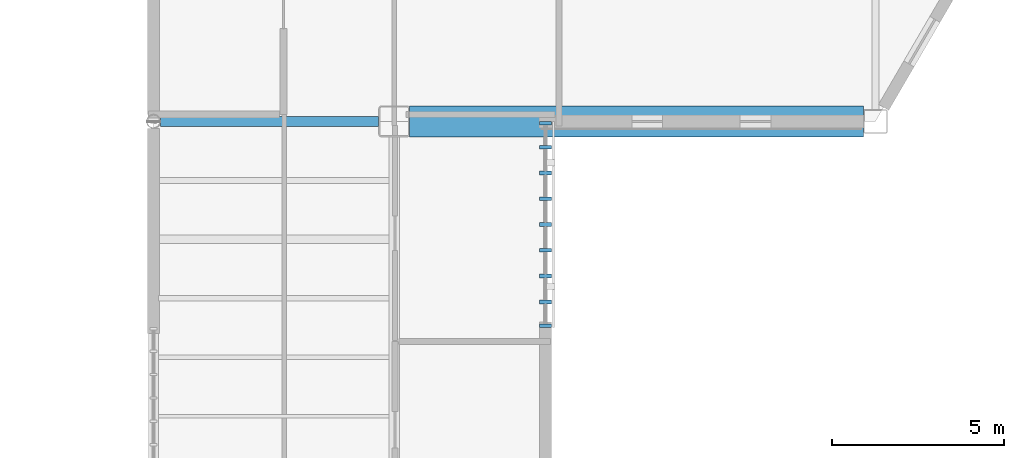
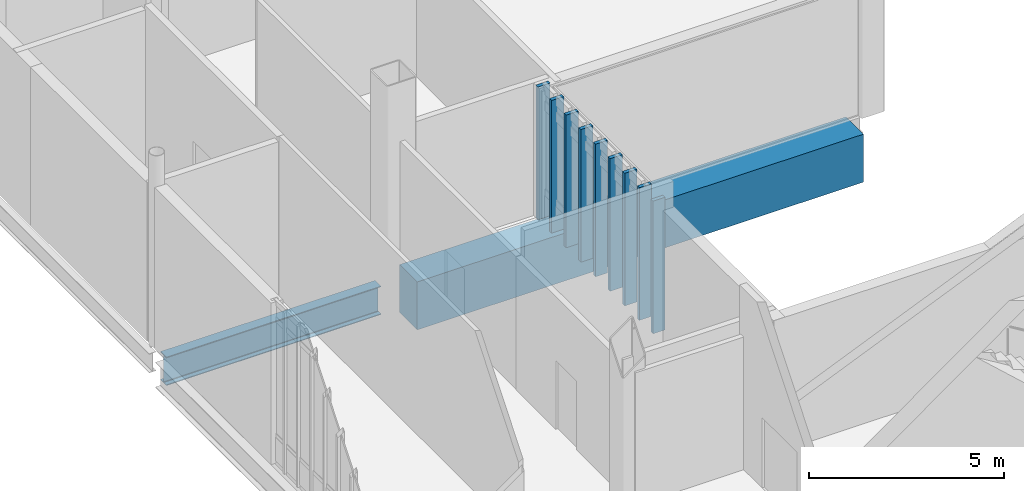
# One storey, part 25 of 135: 9 members, 2 beams, 1 element without a shape of its own.
"""IFC4 building model written with IfcOpenShell, lengths in metres."""

from ifc_helpers import new_model, si_unit, direction, frame, origin, origin_2d, place, context, subcontext, project, spatial, rectangle, i_section, extrude, material, material_profile, profile_set, type_object, element, aggregate, save


model = new_model("IFC4")

# Units and contexts
model_context = context("Model", 3, precision=1e-05, world=origin(), true_north=direction((0.0, 1.0)))
body_context = subcontext(model_context, "Body", "Model", "MODEL_VIEW")
ifc_project = project(units=[si_unit("LENGTHUNIT", "METRE"), si_unit("AREAUNIT", "SQUARE_METRE"), si_unit("VOLUMEUNIT", "CUBIC_METRE"), si_unit("PLANEANGLEUNIT", "RADIAN"), si_unit("MASSUNIT", "GRAM", prefix="KILO")], contexts=[model_context])

# Site, building, storey
site_placement = place(None, origin())
site = spatial("IfcSite", under=ifc_project, at=site_placement, CompositionType="ELEMENT")
building_placement = place(site_placement, origin())
building = spatial("IfcBuilding", under=site, at=building_placement, Name="Larkvane Passage Sports Hall", CompositionType="ELEMENT")
storey_placement = place(building_placement, frame((0.0, 0.0, 10.800048828125)))
storey = spatial("IfcBuildingStorey", under=building, at=storey_placement, Name="L02", CompositionType="ELEMENT", Elevation=10.800048828125)

# Beam
ifc_material_1 = material(Name="Steel S460N", Category="steel")
ifc_material_profile_1 = material_profile(ifc_material_1, i_section(OverallWidth=0.299072265625, OverallDepth=0.889892578125, WebThickness=0.014892578125, FlangeThickness=0.02294921875, FilletRadius=0.02197265625, at=origin_2d()), Name="H-890x299x15x23")
ifc_profile_set_1 = profile_set([ifc_material_profile_1], Name="Steel S460N")
beam_type_1 = type_object("IfcBeamType", Name="BM-STL-H890", PredefinedType="BEAM", material=ifc_profile_set_1)
beam_1_placement = place(storey_placement, frame((124.80322265625, 63.60009765625, -0.864990234375), z_axis=(1.0, 0.0, 0.0), x_axis=(0.0, 1.0, 0.0)))
element("IfcBeam", 1, at=beam_1_placement, inside=storey, type_object=beam_type_1, Name="Girder BM5-X-L02-H-0714", PredefinedType="BEAM", context=body_context, shape_type="SweptSolid", body=[
    extrude(i_section(OverallWidth=0.299072265625, OverallDepth=0.889892578125, WebThickness=0.014892578125, FlangeThickness=0.02294921875, FilletRadius=0.02197265625, at=origin_2d()), origin(), (0.0, 0.0, 1.0), 6.3466796875),
])

# Curtain wall, members
ifc_material_2 = material(Name="Thermally broken aluminium and low-E glazing", Category="aluminium")
curtain_wall_type = type_object("IfcCurtainWallType", Name="CW-CLINIC", PredefinedType="USERDEFINED", material=ifc_material_2)
curtain_wall_placement = place(storey_placement, origin())
curtain_wall = element("IfcCurtainWall", 2, at=curtain_wall_placement, inside=storey, type_object=curtain_wall_type, Name="Curtain wall CW5-L02-071", ObjectType="UNITISED CURTAIN WALL", PredefinedType="USERDEFINED")
ifc_material_3 = material(Name="Anodised aluminium 6063-T6", Category="aluminium")
ifc_material_profile_2 = material_profile(ifc_material_3, rectangle(XDim=0.110107421875, YDim=0.360107421875, at=origin_2d()), Name="ALU-MUL-110x360")
ifc_profile_set_2 = profile_set([ifc_material_profile_2], Name="Anodised aluminium 6063-T6")
member_type = type_object("IfcMemberType", Name="CW-MUL-110x360", PredefinedType="MULLION", material=ifc_profile_set_2)
member_1_placement = place(storey_placement, frame((136.0, 63.544921875, 0.0), z_axis=(0.0, 0.0, 1.0), x_axis=(0.0, -1.0, 0.0)))
member_1 = element("IfcMember", 3, at=member_1_placement, type_object=member_type, Name="CW-05 mullion 1", PredefinedType="MULLION", context=body_context, shape_type="SweptSolid", body=[
    extrude(rectangle(XDim=0.110107421875, YDim=0.360107421875, at=origin_2d()), origin(), (0.0, 0.0, 1.0), 4.14794921875),
])
member_2_placement = place(storey_placement, frame((136.0, 62.85009765625, 0.0), z_axis=(0.0, 0.0, 1.0), x_axis=(0.0, -1.0, 0.0)))
member_2 = element("IfcMember", 4, at=member_2_placement, type_object=member_type, Name="CW-05 mullion 2", PredefinedType="MULLION", context=body_context, shape_type="SweptSolid", body=[
    extrude(rectangle(XDim=0.110107421875, YDim=0.360107421875, at=origin_2d()), origin(), (0.0, 0.0, 1.0), 4.14794921875),
])
member_3_placement = place(storey_placement, frame((136.0, 62.10009765625, 0.0), z_axis=(0.0, 0.0, 1.0), x_axis=(0.0, -1.0, 0.0)))
member_3 = element("IfcMember", 5, at=member_3_placement, type_object=member_type, Name="CW-05 mullion 3", PredefinedType="MULLION", context=body_context, shape_type="SweptSolid", body=[
    extrude(rectangle(XDim=0.110107421875, YDim=0.360107421875, at=origin_2d()), origin(), (0.0, 0.0, 1.0), 4.14794921875),
])
member_4_placement = place(storey_placement, frame((136.0, 61.35009765625, 0.0), z_axis=(0.0, 0.0, 1.0), x_axis=(0.0, -1.0, 0.0)))
member_4 = element("IfcMember", 6, at=member_4_placement, type_object=member_type, Name="CW-05 mullion 4", PredefinedType="MULLION", context=body_context, shape_type="SweptSolid", body=[
    extrude(rectangle(XDim=0.110107421875, YDim=0.360107421875, at=origin_2d()), origin(), (0.0, 0.0, 1.0), 4.14794921875),
])
member_5_placement = place(storey_placement, frame((136.0, 60.60009765625, 0.0), z_axis=(0.0, 0.0, 1.0), x_axis=(0.0, -1.0, 0.0)))
member_5 = element("IfcMember", 7, at=member_5_placement, type_object=member_type, Name="CW-05 mullion 5", PredefinedType="MULLION", context=body_context, shape_type="SweptSolid", body=[
    extrude(rectangle(XDim=0.110107421875, YDim=0.360107421875, at=origin_2d()), origin(), (0.0, 0.0, 1.0), 4.14794921875),
])
member_6_placement = place(storey_placement, frame((136.0, 59.85009765625, 0.0), z_axis=(0.0, 0.0, 1.0), x_axis=(0.0, -1.0, 0.0)))
member_6 = element("IfcMember", 8, at=member_6_placement, type_object=member_type, Name="CW-05 mullion 6", PredefinedType="MULLION", context=body_context, shape_type="SweptSolid", body=[
    extrude(rectangle(XDim=0.110107421875, YDim=0.360107421875, at=origin_2d()), origin(), (0.0, 0.0, 1.0), 4.14794921875),
])
member_7_placement = place(storey_placement, frame((136.0, 59.10009765625, 0.0), z_axis=(0.0, 0.0, 1.0), x_axis=(0.0, -1.0, 0.0)))
member_7 = element("IfcMember", 9, at=member_7_placement, type_object=member_type, Name="CW-05 mullion 7", PredefinedType="MULLION", context=body_context, shape_type="SweptSolid", body=[
    extrude(rectangle(XDim=0.110107421875, YDim=0.360107421875, at=origin_2d()), origin(), (0.0, 0.0, 1.0), 4.14794921875),
])
member_8_placement = place(storey_placement, frame((136.0, 58.35009765625, 0.0), z_axis=(0.0, 0.0, 1.0), x_axis=(0.0, -1.0, 0.0)))
member_8 = element("IfcMember", 10, at=member_8_placement, type_object=member_type, Name="CW-05 mullion 8", PredefinedType="MULLION", context=body_context, shape_type="SweptSolid", body=[
    extrude(rectangle(XDim=0.110107421875, YDim=0.360107421875, at=origin_2d()), origin(), (0.0, 0.0, 1.0), 4.14794921875),
])
member_9_placement = place(storey_placement, frame((136.0, 57.655029296875, 0.0), z_axis=(0.0, 0.0, 1.0), x_axis=(0.0, -1.0, 0.0)))
member_9 = element("IfcMember", 11, at=member_9_placement, type_object=member_type, Name="CW-05 mullion 9", PredefinedType="MULLION", context=body_context, shape_type="SweptSolid", body=[
    extrude(rectangle(XDim=0.110107421875, YDim=0.360107421875, at=origin_2d()), origin(), (0.0, 0.0, 1.0), 4.14794921875),
])
aggregate(curtain_wall, [member_1, member_2, member_3, member_4, member_5, member_6, member_7, member_8, member_9])

# Beam
ifc_material_4 = material(Name="Concrete C50/60", Category="concrete")
ifc_material_profile_3 = material_profile(ifc_material_4, rectangle(XDim=0.89990234375, YDim=1.5, at=origin_2d()), Name="PT-GIR-900x1500")
ifc_profile_set_3 = profile_set([ifc_material_profile_3], Name="Concrete C50/60")
beam_type_2 = type_object("IfcBeamType", Name="PTG-900x1500", PredefinedType="BEAM", material=ifc_profile_set_3)
beam_2_placement = place(storey_placement, frame((132.050048828125, 63.60009765625, -1.170166015625), z_axis=(1.0, 0.0, 0.0), x_axis=(0.0, 1.0, 0.0)))
element("IfcBeam", 12, at=beam_2_placement, inside=storey, type_object=beam_type_2, Name="Post-tensioned transfer girder BM5-X-L02-H-0715", PredefinedType="BEAM", context=body_context, shape_type="SweptSolid", body=[
    extrude(rectangle(XDim=0.89990234375, YDim=1.5, at=origin_2d()), origin(), (0.0, 0.0, 1.0), 13.199951171875),
])

save(model, "model.ifc")
